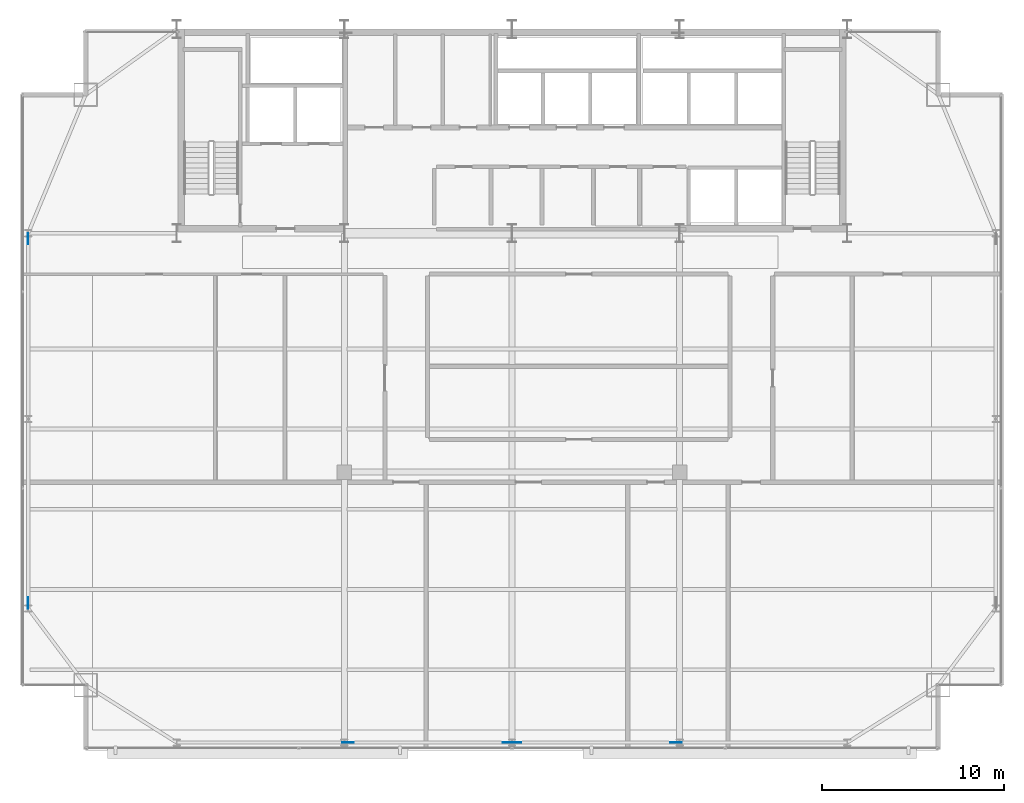
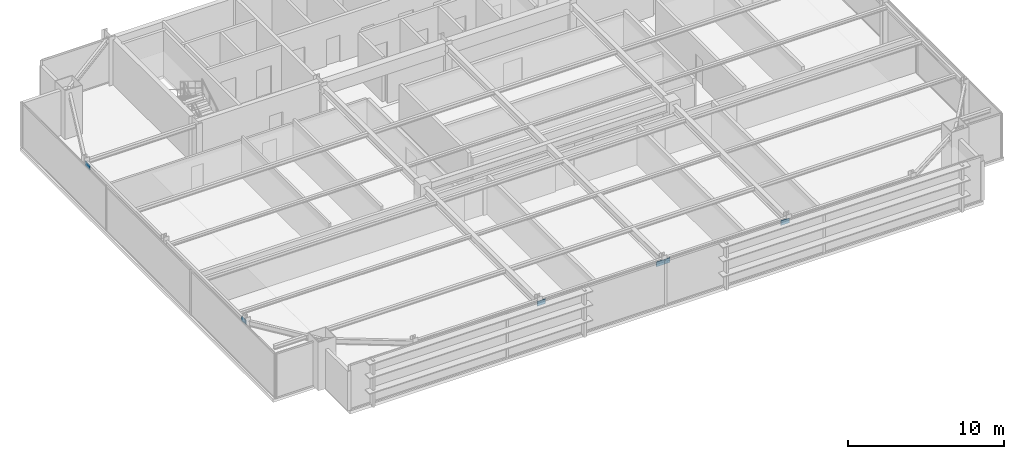
# One storey, part 23 of 29: 6 plates.
"""IFC4 building model written with IfcOpenShell, lengths in metres."""

import ifcopenshell
import ifcopenshell.guid

model = None  # the IFC model being written
_history = None  # IfcOwnerHistory: only IFC2X3 demands one
_inside = {}  # id of a spatial element -> (the spatial element, [elements in it])
_under = {}  # id of a project, library or spatial element -> (it, [spatial elements below it])
_declared = {}  # id of a project -> (the project, [libraries it declares])
_typed = {}  # id of a type object -> (the type object, [elements of that type])
_made_of = {}  # id of a material, layer set ... -> (it, [elements and type objects made of it])


def new_model(schema):
    """Start an empty IFC model of exactly this schema.

    Asked for "IFC4X3", IfcOpenShell would pick the latest addendum, in which some entities
    have other attributes; the version numbers below select the first issue.
    IFC2X3 requires an IfcOwnerHistory on every rooted entity: one is made here for all.
    """
    global model, _history
    if schema == "IFC4X3":
        model = ifcopenshell.file(schema_version=(4, 3, 0, 0))
    else:
        model = ifcopenshell.file(schema=schema)
    _inside.clear()
    _under.clear()
    _declared.clear()
    _typed.clear()
    _made_of.clear()
    _history = None
    if model.schema == "IFC2X3":
        org = make("IfcOrganization", Name="unknown")
        user = make(
            "IfcPersonAndOrganization",
            ThePerson=make("IfcPerson", FamilyName="unknown"),
            TheOrganization=org,
        )
        app = make(
            "IfcApplication",
            ApplicationDeveloper=org,
            Version="unknown",
            ApplicationFullName="unknown",
            ApplicationIdentifier="unknown",
        )
        _history = make(
            "IfcOwnerHistory",
            OwningUser=user,
            OwningApplication=app,
            ChangeAction="ADDED",
            CreationDate=0,
        )
    return model


def make(cls, **values):
    """One entity of the class cls with the attributes given. An attribute that is None is left unset."""
    return model.create_entity(
        cls, **{name: value for name, value in values.items() if value is not None}
    )


def rooted(cls, **values):
    """An entity with a GlobalId (a new one), such as an element, a storey or a relation."""
    return make(cls, GlobalId=ifcopenshell.guid.new(), OwnerHistory=_history, **values)


def si_unit(unit_type, name, prefix=None):
    """IfcSIUnit, for example si_unit("LENGTHUNIT", "METRE", prefix="MILLI")."""
    return make("IfcSIUnit", UnitType=unit_type, Prefix=prefix, Name=name)


def assignment(units):
    """IfcUnitAssignment: the units of a project."""
    return None if units is None else make("IfcUnitAssignment", Units=units)


def point(xyz):
    """IfcCartesianPoint."""
    return None if xyz is None else make("IfcCartesianPoint", Coordinates=xyz)


def direction(xyz):
    """IfcDirection."""
    return None if xyz is None else make("IfcDirection", DirectionRatios=xyz)


def frame(location, z_axis=None, x_axis=None):
    """IfcAxis2Placement3D, a coordinate frame: its origin and axes. An axis left out is left unset."""
    return make(
        "IfcAxis2Placement3D",
        Location=point(location),
        Axis=direction(z_axis),
        RefDirection=direction(x_axis),
    )


def frame_2d(location, x_axis=None):
    """IfcAxis2Placement2D, a coordinate frame in the plane: its origin and x axis."""
    return make(
        "IfcAxis2Placement2D", Location=point(location), RefDirection=direction(x_axis)
    )


def origin():
    """The frame at (0, 0, 0) with its axes left unset."""
    return frame((0.0, 0.0, 0.0))


def origin_2d():
    """The frame at (0, 0) in the plane with its x axis left unset."""
    return frame_2d((0.0, 0.0))


def place(relative_to, where):
    """IfcLocalPlacement: puts the frame where relative to a parent placement (None: the world)."""
    return make(
        "IfcLocalPlacement", PlacementRelTo=relative_to, RelativePlacement=where
    )


def context(
    kind, dimensions, precision=None, world=None, true_north=None, identifier=None
):
    """IfcGeometricRepresentationContext, for example the 3D "Model" context."""
    return make(
        "IfcGeometricRepresentationContext",
        ContextIdentifier=identifier,
        ContextType=kind,
        CoordinateSpaceDimension=dimensions,
        Precision=precision,
        WorldCoordinateSystem=world,
        TrueNorth=true_north,
    )


def subcontext(parent, identifier, kind, view, scale=None):
    """IfcGeometricRepresentationSubContext, for example "Body" below "Model"."""
    return make(
        "IfcGeometricRepresentationSubContext",
        ContextIdentifier=identifier,
        ContextType=kind,
        ParentContext=parent,
        TargetScale=scale,
        TargetView=view,
    )


def project(units=None, contexts=None):
    """IfcProject with its units and contexts."""
    return rooted(
        "IfcProject",
        Name="project",
        RepresentationContexts=contexts,
        UnitsInContext=assignment(units),
    )


def spatial(cls, under=None, at=None, **own):
    """A site, building, storey or space (cls), placed at a placement, below another one or the project."""
    s = rooted(cls, ObjectPlacement=at, **own)
    if under is not None:
        _under.setdefault(under.id(), (under, []))[1].append(s)
    return s


def profile(cls, at=None, kind="AREA", **sizes):
    """A parametric profile (cls). Its sizes go by their IFC names, for example OverallWidth=200.0."""
    return make(cls, ProfileType=kind, Position=at, **sizes)


def rectangle(**sizes):
    """IfcRectangleProfileDef."""
    return profile("IfcRectangleProfileDef", **sizes)


def extrude(swept, where, along, depth):
    """IfcExtrudedAreaSolid: the profile swept, set in the frame where, extruded along a direction by depth."""
    return make(
        "IfcExtrudedAreaSolid",
        SweptArea=swept,
        Position=where,
        ExtrudedDirection=direction(along),
        Depth=depth,
    )


def shape(context_of_items, identifier, shape_type, items):
    """IfcShapeRepresentation: the items that make up one representation, for example the "Body"."""
    return make(
        "IfcShapeRepresentation",
        ContextOfItems=context_of_items,
        RepresentationIdentifier=identifier,
        RepresentationType=shape_type,
        Items=items,
    )


def source(mapping_origin, context_of_items, identifier, shape_type, items):
    """IfcRepresentationMap: a shape defined once, which mapped items show again and again."""
    return make(
        "IfcRepresentationMap",
        MappingOrigin=mapping_origin,
        MappedRepresentation=shape(context_of_items, identifier, shape_type, items),
    )


def transform(
    local_origin,
    x_axis=None,
    y_axis=None,
    z_axis=None,
    scale=None,
    scale2=None,
    scale3=None,
    uniform=True,
):
    """IfcCartesianTransformationOperator3D, or its non-uniform kind. x_axis, y_axis, z_axis: its Axis1, 2, 3."""
    if uniform:
        return make(
            "IfcCartesianTransformationOperator3D",
            Axis1=direction(x_axis),
            Axis2=direction(y_axis),
            LocalOrigin=point(local_origin),
            Scale=scale,
            Axis3=direction(z_axis),
        )
    return make(
        "IfcCartesianTransformationOperator3DnonUniform",
        Axis1=direction(x_axis),
        Axis2=direction(y_axis),
        LocalOrigin=point(local_origin),
        Scale=scale,
        Axis3=direction(z_axis),
        Scale2=scale2,
        Scale3=scale3,
    )


def mapped(mapping_source, mapping_target):
    """IfcMappedItem: shows the shape of a source again, moved by a transform."""
    return make(
        "IfcMappedItem", MappingSource=mapping_source, MappingTarget=mapping_target
    )


def material(Name=None, Category=None):
    """IfcMaterial."""
    return make("IfcMaterial", Name=Name, Category=Category)


def layer(
    of_material, thickness, ventilated=None, Name=None, Category=None, Priority=None
):
    """IfcMaterialLayer: one layer of a wall or slab, of a material (None: an air gap)."""
    return make(
        "IfcMaterialLayer",
        Material=of_material,
        LayerThickness=thickness,
        IsVentilated=ventilated,
        Name=Name,
        Category=Category,
        Priority=Priority,
    )


def layer_set(layers, Name=None):
    """IfcMaterialLayerSet."""
    return make("IfcMaterialLayerSet", MaterialLayers=layers, LayerSetName=Name)


def made_of(thing, what):
    """Note that an element or type object is made of a material, layer set ...; save() writes the relation."""
    if what is not None:
        _made_of.setdefault(what.id(), (what, []))[1].append(thing)
    return thing


def type_object(cls, material=None, **own):
    """A type object (cls), such as IfcWallType, which elements share."""
    return made_of(rooted(cls, **own), material)


def type_shapes(of_type, sources):
    """Give a type object the sources (RepresentationMaps) that its elements show as mapped items."""
    of_type.RepresentationMaps = sources


def element(
    cls,
    number,
    at=None,
    inside=None,
    cuts=None,
    type_object=None,
    material=None,
    context=None,
    identifier="Body",
    shape_type=None,
    held_by="IfcProductDefinitionShape",
    body=None,
    shapes=None,
    **own,
):
    """One element of the class cls, such as IfcWall. Its Tag is "e" and its number.

    at: its placement. inside: the storey or other place that contains it. cuts: it is an
    opening in that element (IfcRelVoidsElement). A single representation is given by context,
    identifier, shape_type and body (its items); several are given by shapes. held_by: the class
    of the entity that holds the representations. save() writes the other relations.
    """
    e = rooted(cls, Tag="e%d" % number, ObjectPlacement=at, **own)
    if body is not None:
        shapes = [shape(context, identifier, shape_type, body)]
    if shapes is not None:
        e.Representation = make(held_by, Representations=shapes)
    if inside is not None:
        _inside.setdefault(inside.id(), (inside, []))[1].append(e)
    if cuts is not None:
        rooted(
            "IfcRelVoidsElement", RelatingBuildingElement=cuts, RelatedOpeningElement=e
        )
    if type_object is not None:
        _typed.setdefault(type_object.id(), (type_object, []))[1].append(e)
    return made_of(e, material)


def aggregate(whole, parts):
    """IfcRelAggregates: a whole, such as a stair, and the parts it consists of."""
    return rooted("IfcRelAggregates", RelatingObject=whole, RelatedObjects=parts)


def save(model, path):
    """Write the relations noted so far, then the file.

    IfcRelAggregates (storeys below a building ...), IfcRelContainedInSpatialStructure (elements
    in a storey), IfcRelDefinesByType, IfcRelAssociatesMaterial and IfcRelDeclares: one each for
    every whole, place, type object, material and project.
    """
    for whole, parts in _under.values():
        aggregate(whole, parts)
    for where, things in _inside.values():
        rooted(
            "IfcRelContainedInSpatialStructure",
            RelatedElements=things,
            RelatingStructure=where,
        )
    for kind, things in _typed.values():
        rooted("IfcRelDefinesByType", RelatedObjects=things, RelatingType=kind)
    for what, things in _made_of.values():
        rooted("IfcRelAssociatesMaterial", RelatedObjects=things, RelatingMaterial=what)
    for by, libraries in _declared.values():
        rooted("IfcRelDeclares", RelatingContext=by, RelatedDefinitions=libraries)
    model.write(path)


model = new_model("IFC4")

# Units and contexts
model_context = context("Model", 3, precision=1e-05, world=origin(), true_north=direction((0.0, 1.0)))
body_context = subcontext(model_context, "Body", "Model", "MODEL_VIEW")
ifc_project = project(units=[si_unit("LENGTHUNIT", "METRE"), si_unit("AREAUNIT", "SQUARE_METRE"), si_unit("VOLUMEUNIT", "CUBIC_METRE"), si_unit("PLANEANGLEUNIT", "RADIAN"), si_unit("MASSUNIT", "GRAM", prefix="KILO")], contexts=[model_context])

# Site, building, storey
site_placement = place(None, origin())
site = spatial("IfcSite", under=ifc_project, at=site_placement, CompositionType="ELEMENT")
building_placement = place(site_placement, origin())
building = spatial("IfcBuilding", under=site, at=building_placement, Name="Varnel Quay Broadcast Tower", CompositionType="ELEMENT")
storey_placement = place(building_placement, frame((0.0, 0.0, 187.60009765625)))
storey = spatial("IfcBuildingStorey", under=building, at=storey_placement, Name="L46", CompositionType="ELEMENT", Elevation=187.60009765625)

# Plates
ifc_material = material(Name="Structural Steel CSA G40.21 350WT", Category="steel")
ifc_layer = layer(ifc_material, 0.031982421875, Name="Structural Steel CSA G40.21 350WT")
ifc_layer_set = layer_set([ifc_layer], Name="Structural Steel CSA G40.21 350WT")
plate_type = type_object("IfcPlateType", Name="Plate_EndCap", PredefinedType="USERDEFINED", material=ifc_layer_set)
shared_shape = source(origin(), body_context, "Body", "SweptSolid", [
    extrude(rectangle(XDim=0.6201171875, YDim=0.031982421875, at=origin_2d()), origin(), (0.0, 0.0, 1.0), 0.3798828125),
])
type_shapes(plate_type, [shared_shape])
for number, where, z_axis, x_axis, name in (
    (1, (33.80029296875, 7.64990234375, 2.98681640625), (0.0, 0.0, 1.0), (1.0, 0.0, 0.0), "Zone 3 Mega-Brace S-C1T3 Diag A End Connection Plate P1"),
    (2, (24.999755859375, 7.64990234375, 2.98681640625), (0.0, 0.0, 1.0), (1.0, 0.0, 0.0), "Zone 3 Mega-Brace S-C1T3 Diag B2 End Connection Plate P1"),
    (3, (43.000244140625, 7.64990234375, 2.98681640625), (0.0, 0.0, 1.0), (1.0, 0.0, 0.0), "Zone 3 Mega-Brace S-C2T3 Diag A End Connection Plate P1"),
    (4, (34.19970703125, 7.64990234375, 2.98681640625), (0.0, 0.0, 1.0), (1.0, 0.0, 0.0), "Zone 3 Mega-Brace S-C2T3 Diag B2 End Connection Plate P1"),
    (5, (7.449951171875, 35.2919921875, 3.08740234375), (0.0, 0.0, 1.0), (0.0, 1.0, 0.0), "Zone 3 Mega-Brace W-FT3 Diag A End Connection Plate P1"),
    (6, (7.449951171875, 15.30810546875, 3.08740234375), (0.0, 0.0, 1.0), (0.0, 1.0, 0.0), "Zone 3 Mega-Brace W-FT3 Diag B2 End Connection Plate P1"),
):
    element("IfcPlate", number, at=place(storey_placement, frame(where, z_axis=z_axis, x_axis=x_axis)), inside=storey, type_object=plate_type, Name=name, ObjectType="CAP_PLATE", PredefinedType="USERDEFINED", context=body_context, shape_type="MappedRepresentation", body=[
        mapped(shared_shape, transform((0.0, 0.0, 0.0), x_axis=(1.0, 0.0, 0.0), y_axis=(0.0, 1.0, 0.0), z_axis=(0.0, 0.0, 1.0), scale=1.0)),
    ])

save(model, "model.ifc")
